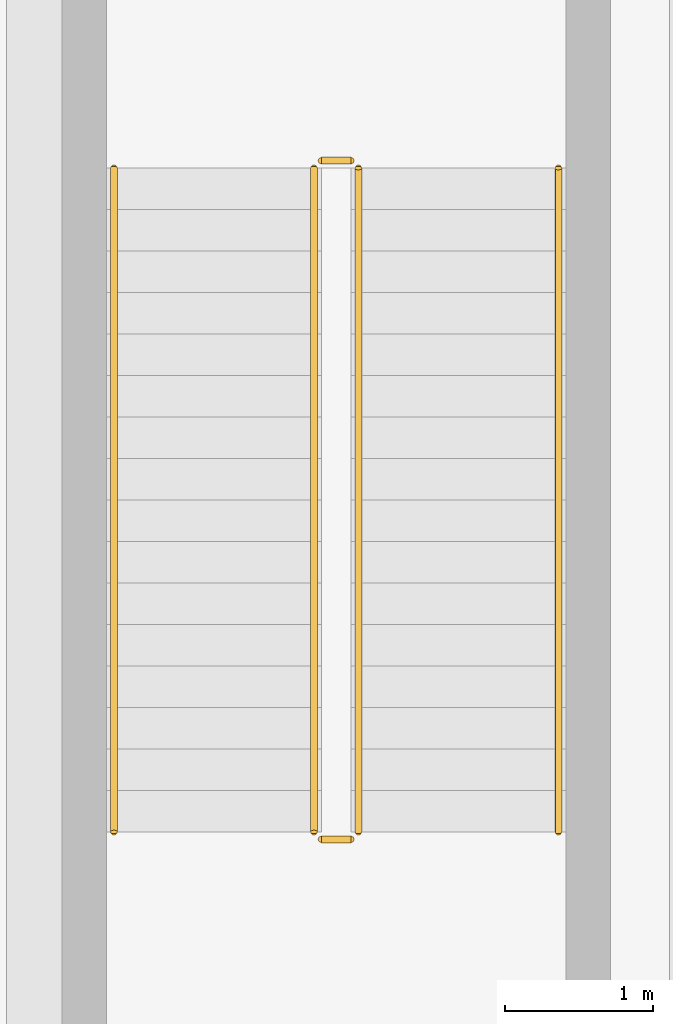
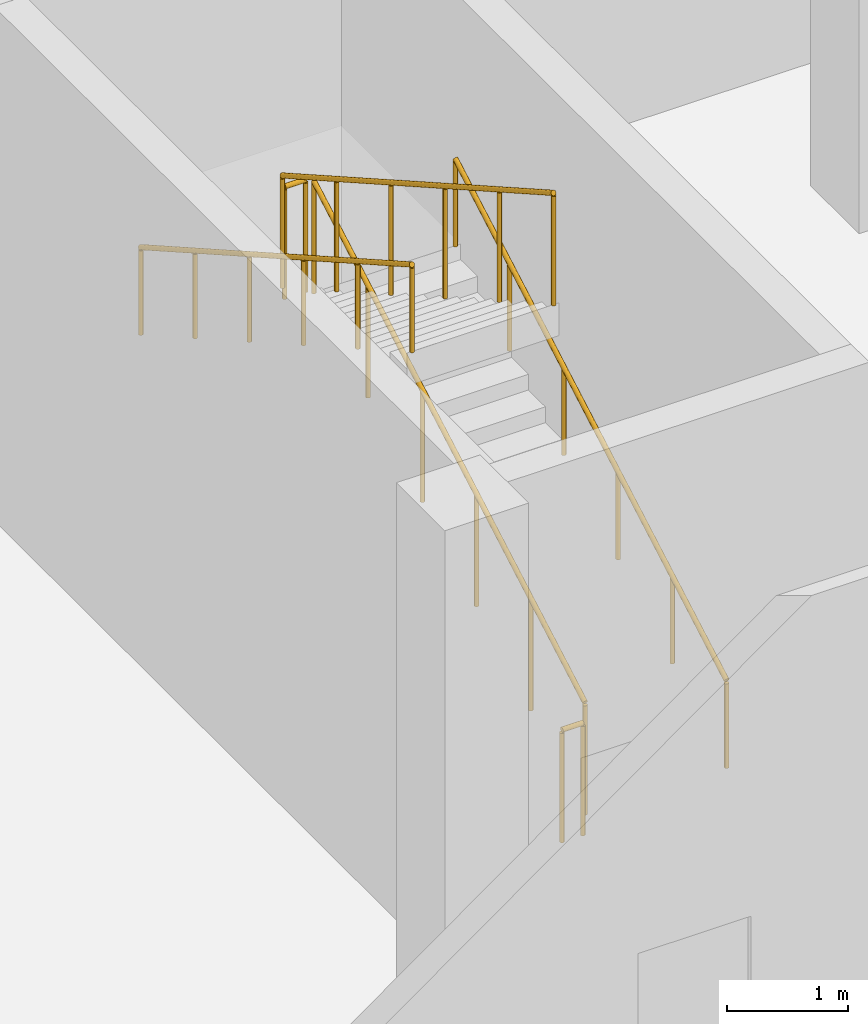
# One storey, part 30 of 34: 6 railings.
"""IFC4 building model written with IfcOpenShell, lengths in metres."""

from ifc_helpers import new_model, si_unit, direction, frame, origin, origin_2d, place, context, subcontext, project, spatial, circle, extrude, material, type_object, element, save


model = new_model("IFC4")

# Units and contexts
model_context = context("Model", 3, precision=1e-05, world=origin(), true_north=direction((0.0, 1.0)))
body_context = subcontext(model_context, "Body", "Model", "MODEL_VIEW")
ifc_project = project(units=[si_unit("LENGTHUNIT", "METRE"), si_unit("AREAUNIT", "SQUARE_METRE"), si_unit("VOLUMEUNIT", "CUBIC_METRE"), si_unit("PLANEANGLEUNIT", "RADIAN"), si_unit("MASSUNIT", "GRAM", prefix="KILO")], contexts=[model_context])

# Site, building, storey
site_placement = place(None, origin())
site = spatial("IfcSite", under=ifc_project, at=site_placement, CompositionType="ELEMENT")
building_placement = place(site_placement, origin())
building = spatial("IfcBuilding", under=site, at=building_placement, Name="Brinegate Botanical Conservatory", CompositionType="ELEMENT")
storey_placement = place(building_placement, origin())
storey = spatial("IfcBuildingStorey", under=building, at=storey_placement, Name="L01", CompositionType="ELEMENT", Elevation=0.0)

# Railings
ifc_material_1 = material(Name="Structural steel Q355B / S355 painted tubular guardrail", Category="steel")
railing_type_1 = type_object("IfcRailingType", Name="Rail_ST-GRD", PredefinedType="GUARDRAIL", material=ifc_material_1)
railing_1_placement = place(storey_placement, frame((105.75, 96.89990234375, 0.158935546875)))
element("IfcRailing", 1, at=railing_1_placement, inside=storey, type_object=railing_type_1, Name="L01 ST4 stair guard 1", PredefinedType="GUARDRAIL", context=body_context, shape_type="SweptSolid", body=[
    extrude(circle(Radius=0.02392578125, at=origin_2d()), frame((0.0, 0.0, 1.1259765625), z_axis=(0.0, 0.869825572089, 0.493359376256), x_axis=(-1.0, 0.0, 0.0)), (0.0, 0.0, 1.0), 5.150390625),
    extrude(circle(Radius=0.02099609375, at=origin_2d()), origin(), (0.0, 0.0, 1.0), 1.101806640625),
    extrude(circle(Radius=0.02099609375, at=origin_2d()), frame((0.0, 0.89599609375, 0.50830078125)), (0.0, 0.0, 1.0), 1.101806640625),
    extrude(circle(Radius=0.02099609375, at=origin_2d()), frame((0.0, 1.7919921875, 1.016357421875)), (0.0, 0.0, 1.0), 1.101806640625),
    extrude(circle(Radius=0.02099609375, at=origin_2d()), frame((0.0, 2.68798828125, 1.524658203125)), (0.0, 0.0, 1.0), 1.101806640625),
    extrude(circle(Radius=0.02099609375, at=origin_2d()), frame((0.0, 3.583984375, 2.03271484375)), (0.0, 0.0, 1.0), 1.101806640625),
    extrude(circle(Radius=0.02099609375, at=origin_2d()), frame((0.0, 4.47998046875, 2.541015625)), (0.0, 0.0, 1.0), 1.101806640625),
])
railing_2_placement = place(storey_placement, frame((105.699951171875, 101.429931640625, 2.699951171875)))
element("IfcRailing", 2, at=railing_2_placement, inside=storey, type_object=railing_type_1, Name="L01 ST4 stair guard 2", PredefinedType="GUARDRAIL", context=body_context, shape_type="SweptSolid", body=[
    extrude(circle(Radius=0.02392578125, at=origin_2d()), frame((0.0, 0.0, 1.1259765625), z_axis=(-1.0, 0.0, 0.0), x_axis=(0.0, -1.0, 0.0)), (0.0, 0.0, 1.0), 0.199951171875),
    extrude(circle(Radius=0.02099609375, at=origin_2d()), origin(), (0.0, 0.0, 1.0), 1.101806640625),
    extrude(circle(Radius=0.02099609375, at=origin_2d()), frame((-0.199951171875, 0.0, 0.0)), (0.0, 0.0, 1.0), 1.101806640625),
])
railing_3_placement = place(storey_placement, frame((105.449951171875, 101.3798828125, 2.85888671875)))
element("IfcRailing", 3, at=railing_3_placement, inside=storey, type_object=railing_type_1, Name="L01 ST4 stair guard 3", PredefinedType="GUARDRAIL", context=body_context, shape_type="SweptSolid", body=[
    extrude(circle(Radius=0.02392578125, at=origin_2d()), frame((0.0, 0.0, 1.1259765625), z_axis=(0.0, -0.869825572089, 0.493359376256), x_axis=(1.0, 0.0, 0.0)), (0.0, 0.0, 1.0), 5.150390625),
    extrude(circle(Radius=0.02099609375, at=origin_2d()), origin(), (0.0, 0.0, 1.0), 1.101806640625),
    extrude(circle(Radius=0.02099609375, at=origin_2d()), frame((0.0, -0.89599609375, 0.50830078125)), (0.0, 0.0, 1.0), 1.101806640625),
    extrude(circle(Radius=0.02099609375, at=origin_2d()), frame((0.0, -1.7919921875, 1.016357421875)), (0.0, 0.0, 1.0), 1.101806640625),
    extrude(circle(Radius=0.02099609375, at=origin_2d()), frame((0.0, -2.68798828125, 1.524658203125)), (0.0, 0.0, 1.0), 1.101806640625),
    extrude(circle(Radius=0.02099609375, at=origin_2d()), frame((0.0, -3.583984375, 2.03271484375)), (0.0, 0.0, 1.0), 1.101806640625),
    extrude(circle(Radius=0.02099609375, at=origin_2d()), frame((0.0, -4.47998046875, 2.541015625)), (0.0, 0.0, 1.0), 1.101806640625),
])
railing_4_placement = place(storey_placement, frame((105.699951171875, 96.85009765625, 0.0)))
element("IfcRailing", 4, at=railing_4_placement, inside=storey, type_object=railing_type_1, Name="L01 ST4 stair guard 4", PredefinedType="GUARDRAIL", context=body_context, shape_type="SweptSolid", body=[
    extrude(circle(Radius=0.02392578125, at=origin_2d()), frame((0.0, 0.0, 1.1259765625), z_axis=(-1.0, 0.0, 0.0), x_axis=(0.0, -1.0, 0.0)), (0.0, 0.0, 1.0), 0.199951171875),
    extrude(circle(Radius=0.02099609375, at=origin_2d()), origin(), (0.0, 0.0, 1.0), 1.101806640625),
    extrude(circle(Radius=0.02099609375, at=origin_2d()), frame((-0.199951171875, 0.0, 0.0)), (0.0, 0.0, 1.0), 1.101806640625),
])
ifc_material_2 = material(Name="Brushed stainless steel S355 handrail", Category="steel")
railing_type_2 = type_object("IfcRailingType", Name="Rail_ST-HND", PredefinedType="HANDRAIL", material=ifc_material_2)
railing_5_placement = place(storey_placement, frame((107.10009765625, 96.89990234375, 0.158935546875)))
element("IfcRailing", 5, at=railing_5_placement, inside=storey, type_object=railing_type_2, Name="L01 ST4 stair handrail 1", PredefinedType="HANDRAIL", context=body_context, shape_type="SweptSolid", body=[
    extrude(circle(Radius=0.02392578125, at=origin_2d()), frame((0.0, 0.0, 0.8759765625), z_axis=(0.0, 0.869825572089, 0.493359376256), x_axis=(-1.0, 0.0, 0.0)), (0.0, 0.0, 1.0), 5.150390625),
    extrude(circle(Radius=0.02099609375, at=origin_2d()), origin(), (0.0, 0.0, 1.0), 0.851806640625),
    extrude(circle(Radius=0.02099609375, at=origin_2d()), frame((0.0, 0.89599609375, 0.50830078125)), (0.0, 0.0, 1.0), 0.851806640625),
    extrude(circle(Radius=0.02099609375, at=origin_2d()), frame((0.0, 1.7919921875, 1.016357421875)), (0.0, 0.0, 1.0), 0.851806640625),
    extrude(circle(Radius=0.02099609375, at=origin_2d()), frame((0.0, 2.68798828125, 1.524658203125)), (0.0, 0.0, 1.0), 0.851806640625),
    extrude(circle(Radius=0.02099609375, at=origin_2d()), frame((0.0, 3.583984375, 2.03271484375)), (0.0, 0.0, 1.0), 0.851806640625),
    extrude(circle(Radius=0.02099609375, at=origin_2d()), frame((0.0, 4.47998046875, 2.541015625)), (0.0, 0.0, 1.0), 0.851806640625),
])
railing_6_placement = place(storey_placement, frame((104.10009765625, 101.3798828125, 2.85888671875)))
element("IfcRailing", 6, at=railing_6_placement, inside=storey, type_object=railing_type_2, Name="L01 ST4 stair handrail 2", PredefinedType="HANDRAIL", context=body_context, shape_type="SweptSolid", body=[
    extrude(circle(Radius=0.02392578125, at=origin_2d()), frame((0.0, 0.0, 0.8759765625), z_axis=(0.0, -0.869825572089, 0.493359376256), x_axis=(1.0, 0.0, 0.0)), (0.0, 0.0, 1.0), 5.150390625),
    extrude(circle(Radius=0.02099609375, at=origin_2d()), origin(), (0.0, 0.0, 1.0), 0.851806640625),
    extrude(circle(Radius=0.02099609375, at=origin_2d()), frame((0.0, -0.89599609375, 0.50830078125)), (0.0, 0.0, 1.0), 0.851806640625),
    extrude(circle(Radius=0.02099609375, at=origin_2d()), frame((0.0, -1.7919921875, 1.016357421875)), (0.0, 0.0, 1.0), 0.851806640625),
    extrude(circle(Radius=0.02099609375, at=origin_2d()), frame((0.0, -2.68798828125, 1.524658203125)), (0.0, 0.0, 1.0), 0.851806640625),
    extrude(circle(Radius=0.02099609375, at=origin_2d()), frame((0.0, -3.583984375, 2.03271484375)), (0.0, 0.0, 1.0), 0.851806640625),
    extrude(circle(Radius=0.02099609375, at=origin_2d()), frame((0.0, -4.47998046875, 2.541015625)), (0.0, 0.0, 1.0), 0.851806640625),
])

save(model, "model.ifc")
